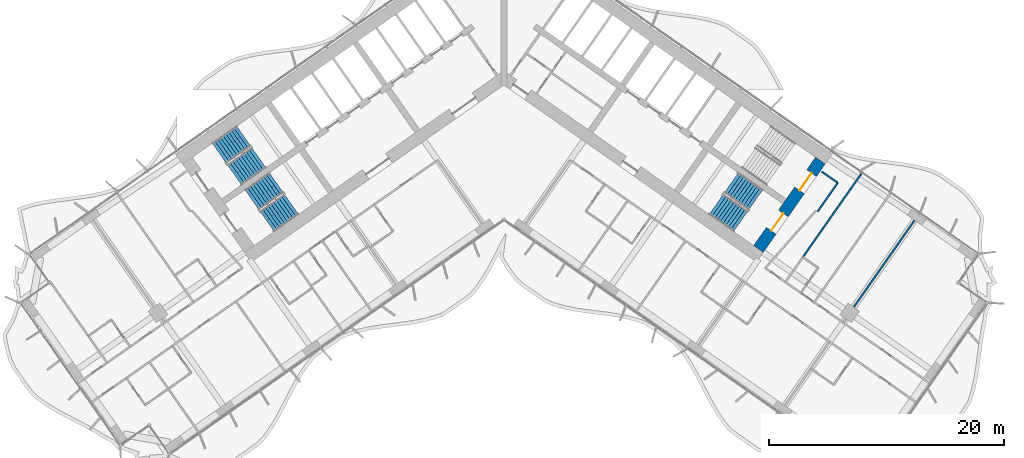
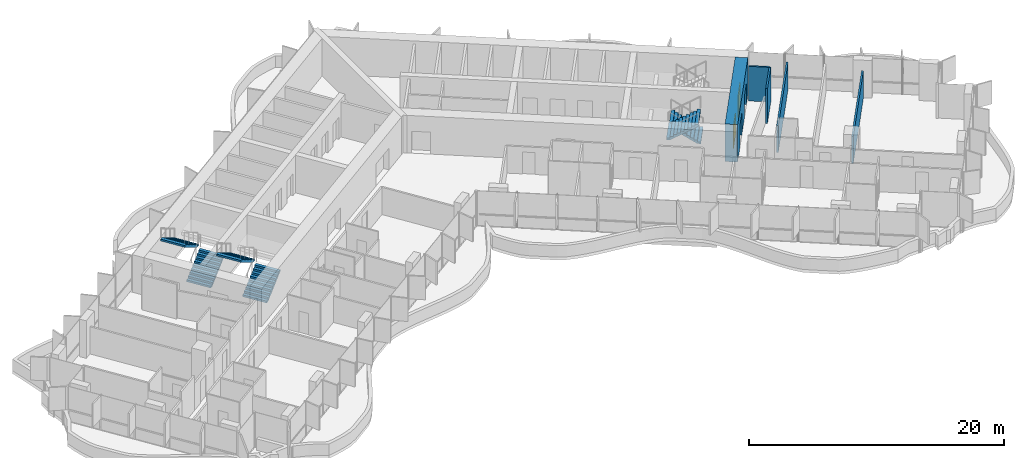
# One storey, part 16 of 23: 6 stair flights, 5 walls, 2 doors, 2 openings, 3 elements without a shape of their own.
"""IFC4 building model written with IfcOpenShell, lengths in metres."""

from ifc_helpers import new_model, si_unit, direction, frame, frame_2d, origin, place, context, subcontext, project, spatial, polyline, rectangle, outline, extrude, material, layer, layer_set, type_object, element, fill, aggregate, save


model = new_model("IFC4")

# Units and contexts
model_context = context("Model", 3, precision=1e-05, world=origin(), true_north=direction((0.0, 1.0)))
body_context = subcontext(model_context, "Body", "Model", "MODEL_VIEW")
ifc_project = project(units=[si_unit("LENGTHUNIT", "METRE"), si_unit("AREAUNIT", "SQUARE_METRE"), si_unit("VOLUMEUNIT", "CUBIC_METRE"), si_unit("PLANEANGLEUNIT", "RADIAN"), si_unit("MASSUNIT", "GRAM", prefix="KILO")], contexts=[model_context])

# Site, building, storey
site_placement = place(None, origin())
site = spatial("IfcSite", under=ifc_project, at=site_placement, CompositionType="ELEMENT")
building_placement = place(site_placement, origin())
building = spatial("IfcBuilding", under=site, at=building_placement, Name="Tel Ilan Convention Tower", CompositionType="ELEMENT")
storey_placement = place(building_placement, frame((0.0, 0.0, 108.5)))
storey = spatial("IfcBuildingStorey", under=building, at=storey_placement, Name="L23", CompositionType="ELEMENT", Elevation=108.5)

# Wall, openings, doors
ifc_material_1 = material(Name="Concrete C60/75", Category="concrete")
ifc_layer_1 = layer(ifc_material_1, 1.0)
ifc_layer_set_1 = layer_set([ifc_layer_1], Name="Core Shear Wall 1000 mm C60/75")
wall_type_1 = type_object("IfcWallType", Name="Core Shear Wall 1000 mm C60/75", PredefinedType="SHEAR", material=ifc_layer_set_1)
wall_1_placement = place(storey_placement, frame((21.70751953125, -15.19970703125, 0.0), z_axis=(0.0, 0.0, 1.0), x_axis=(0.573576324356, 0.819152122709, 0.0)))
wall_1 = element("IfcWall", 1, at=wall_1_placement, inside=storey, type_object=wall_type_1, Name="L23 core wall E-end", PredefinedType="SHEAR", context=body_context, shape_type="SweptSolid", body=[
    extrude(outline(polyline([(9.199951171875, 0.5), (0.0, 0.5), (0.0, -0.5), (9.199951171875, -0.5), (9.199951171875, 0.5)])), origin(), (0.0, 0.0, 1.0), 3.60009765625),
])
opening_1_placement = place(wall_1_placement, frame((6.10009765625, 0.0, 0.0)))
opening_1 = element("IfcOpeningElement", 2, at=opening_1_placement, cuts=wall_1, Name="Opening SD1903", PredefinedType="OPENING", context=body_context, shape_type="SweptSolid", body=[
    extrude(rectangle(XDim=1.800048828125, YDim=2.10009765625, at=frame_2d((0.89990234375, 1.050048828125))), frame((0.0, 0.510009765625, 0.0), z_axis=(0.0, -1.0, 0.0), x_axis=(1.0, 0.0, 0.0)), (0.0, 0.0, 1.0), 1.02001953125),
])
opening_2_placement = place(wall_1_placement, frame((1.89990234375, 0.0, 0.0)))
opening_2 = element("IfcOpeningElement", 3, at=opening_2_placement, cuts=wall_1, Name="Opening SD1904", PredefinedType="OPENING", context=body_context, shape_type="SweptSolid", body=[
    extrude(rectangle(XDim=1.800048828125, YDim=2.10009765625, at=frame_2d((0.89990234375, 1.050048828125))), frame((0.0, 0.510009765625, 0.0), z_axis=(0.0, -1.0, 0.0), x_axis=(1.0, 0.0, 0.0)), (0.0, 0.0, 1.0), 1.02001953125),
])
ifc_material_2 = material(Name="Galvanised Steel Door Leaf", Category="steel")
door_type = type_object("IfcDoorType", Name="Stair Fire Door 1800 x 2100 FD60S", OperationType="NOTDEFINED", PredefinedType="DOOR", material=ifc_material_2)
door_1_placement = place(opening_1_placement, origin())
door_1 = element("IfcDoor", 4, at=door_1_placement, inside=storey, type_object=door_type, Name="Stair S3 door", OperationType="DOUBLE_DOOR_SINGLE_SWING", OverallHeight=2.10009765625, OverallWidth=1.800048828125, PredefinedType="DOOR", context=body_context, shape_type="SweptSolid", body=[
    extrude(rectangle(XDim=1.800048828125, YDim=2.10009765625, at=frame_2d((0.89990234375, 1.050048828125))), frame((0.0, 0.02490234375, 0.0), z_axis=(0.0, -1.0, 0.0), x_axis=(1.0, 0.0, 0.0)), (0.0, 0.0, 1.0), 0.050048828125),
])
fill(opening_1, door_1)
door_2_placement = place(opening_2_placement, origin())
door_2 = element("IfcDoor", 5, at=door_2_placement, inside=storey, type_object=door_type, Name="Stair S4 door", OperationType="DOUBLE_DOOR_SINGLE_SWING", OverallHeight=2.10009765625, OverallWidth=1.800048828125, PredefinedType="DOOR", context=body_context, shape_type="SweptSolid", body=[
    extrude(rectangle(XDim=1.800048828125, YDim=2.10009765625, at=frame_2d((0.89990234375, 1.050048828125))), frame((0.0, 0.02490234375, 0.0), z_axis=(0.0, -1.0, 0.0), x_axis=(1.0, 0.0, 0.0)), (0.0, 0.0, 1.0), 0.050048828125),
])
fill(opening_2, door_2)

# Walls
ifc_material_3 = material(Name="Plasterboard on Steel Studs", Category="steel")
ifc_layer_2 = layer(ifc_material_3, 0.14990234375)
ifc_layer_set_2 = layer_set([ifc_layer_2], Name="Fire-rated Partition 150 EI 60")
wall_type_2 = type_object("IfcWallType", Name="Fire-rated Partition 150 EI 60", PredefinedType="PARTITIONING", material=ifc_layer_set_2)
wall_2_placement = place(storey_placement, frame((30.482421875, -8.77001953125, 0.0), z_axis=(0.0, 0.0, 1.0), x_axis=(-0.573579093502, -0.819150183725, 0.0)))
element("IfcWall", 6, at=wall_2_placement, inside=storey, type_object=wall_type_2, Name="Partition 034", PredefinedType="PARTITIONING", context=body_context, shape_type="SweptSolid", body=[
    extrude(rectangle(XDim=8.700927734375, YDim=0.14990234375, at=frame_2d((4.3505859375, 0.0))), origin(), (0.0, 0.0, 1.0), 2.60009765625),
])
wall_3_placement = place(storey_placement, frame((26.74609375, -12.013671875, 0.0), z_axis=(0.0, 0.0, 1.0), x_axis=(0.573560650686, 0.819163097304, 0.0)))
element("IfcWall", 7, at=wall_3_placement, inside=storey, type_object=wall_type_2, Name="Partition 037", PredefinedType="PARTITIONING", context=body_context, shape_type="SweptSolid", body=[
    extrude(rectangle(XDim=3.0, YDim=0.14990234375, at=frame_2d((1.5, 0.0))), origin(), (0.0, 0.0, 1.0), 3.320068359375),
])
wall_4_placement = place(storey_placement, frame((28.466796875, -9.55615234375, 0.0), z_axis=(0.0, 0.0, 1.0), x_axis=(-0.819109000826, 0.573637903879, 0.0)))
element("IfcWall", 8, at=wall_4_placement, inside=storey, type_object=wall_type_2, Name="Partition 038", PredefinedType="PARTITIONING", context=body_context, shape_type="SweptSolid", body=[
    extrude(rectangle(XDim=1.679931640625, YDim=0.14990234375, at=frame_2d((0.83984375, 0.0))), origin(), (0.0, 0.0, 1.0), 3.320068359375),
])
wall_5_placement = place(storey_placement, frame((35.012939453125, -12.76025390625, 0.0), z_axis=(0.0, 0.0, 1.0), x_axis=(-0.573558725113, -0.819164445546, 0.0)))
element("IfcWall", 9, at=wall_5_placement, inside=storey, type_object=wall_type_2, Name="Partition 042", PredefinedType="PARTITIONING", context=body_context, shape_type="SweptSolid", body=[
    extrude(rectangle(XDim=9.010009765625, YDim=0.14990234375, at=frame_2d((4.5048828125, 0.0))), origin(), (0.0, 0.0, 1.0), 2.60009765625),
])

# Stair, stair flights
ifc_material_4 = material(Name="Concrete C40/50", Category="concrete")
stair_type = type_object("IfcStairType", Name="Pressurised Exit Stair 20 risers 180 mm", PredefinedType="HALF_TURN_STAIR", material=ifc_material_4)
stair_1_placement = place(storey_placement, origin())
stair_1 = element("IfcStair", 10, at=stair_1_placement, inside=storey, type_object=stair_type, Name="L23 Pressurised Stair S1", PredefinedType="HALF_TURN_STAIR")
ifc_material_5 = material(Name="Precast Concrete C40/50", Category="concrete")
stair_flight_type = type_object("IfcStairFlightType", Name="Concrete Stair Flight 2100 mm 20 risers 180 mm", PredefinedType="STRAIGHT", material=ifc_material_5)
stair_flight_1_placement = place(storey_placement, frame((-22.9619140625, -8.87548828125, 0.0), z_axis=(0.0, 0.0, 1.0), x_axis=(0.819152044289, 0.573576436351, 0.0)))
stair_flight_1 = element("IfcStairFlight", 11, at=stair_flight_1_placement, type_object=stair_flight_type, Name="S1 flight 1", NumberOfRisers=10, NumberOfTreads=9, PredefinedType="STRAIGHT", RiserHeight=0.18, TreadLength=0.28, context=body_context, shape_type="SweptSolid", body=[
    extrude(outline(polyline([(0.0, 0.0), (0.0, 0.179931640625), (0.280029296875, 0.179931640625), (0.280029296875, 0.360107421875), (0.56005859375, 0.360107421875), (0.56005859375, 0.5400390625), (0.840087890625, 0.5400390625), (0.840087890625, 0.719970703125), (1.1201171875, 0.719970703125), (1.1201171875, 0.89990234375), (1.39990234375, 0.89990234375), (1.39990234375, 1.080078125), (1.679931640625, 1.080078125), (1.679931640625, 1.260009765625), (1.9599609375, 1.260009765625), (1.9599609375, 1.43994140625), (2.239990234375, 1.43994140625), (2.239990234375, 1.6201171875), (2.52001953125, 1.6201171875), (2.52001953125, 1.800048828125), (2.52001953125, 1.44189453125), (0.277099609375, 0.0), (0.0, 0.0)])), frame((0.0, -0.100341796875, 0.0), z_axis=(0.0, -1.0, 0.0), x_axis=(1.0, 0.0, 0.0)), (0.0, 0.0, 1.0), 0.94970703125),
    extrude(outline(polyline([(0.0, 0.0), (0.0, 0.179931640625), (0.280029296875, 0.179931640625), (0.280029296875, 0.360107421875), (0.56005859375, 0.360107421875), (0.56005859375, 0.5400390625), (0.840087890625, 0.5400390625), (0.840087890625, 0.719970703125), (1.1201171875, 0.719970703125), (1.1201171875, 0.89990234375), (1.39990234375, 0.89990234375), (1.39990234375, 1.080078125), (1.679931640625, 1.080078125), (1.679931640625, 1.260009765625), (1.9599609375, 1.260009765625), (1.9599609375, 1.43994140625), (2.239990234375, 1.43994140625), (2.239990234375, 1.6201171875), (2.52001953125, 1.6201171875), (2.52001953125, 1.800048828125), (2.52001953125, 1.44189453125), (0.277099609375, 0.0), (0.0, 0.0)])), frame((0.0, -0.000244140625, 0.0), z_axis=(0.0, -1.0, 0.0), x_axis=(1.0, 0.0, 0.0)), (0.0, 0.0, 1.0), 0.099609375),
    extrude(outline(polyline([(0.0, 0.0), (0.0, 0.179931640625), (0.280029296875, 0.179931640625), (0.280029296875, 0.360107421875), (0.56005859375, 0.360107421875), (0.56005859375, 0.5400390625), (0.840087890625, 0.5400390625), (0.840087890625, 0.719970703125), (1.1201171875, 0.719970703125), (1.1201171875, 0.89990234375), (1.39990234375, 0.89990234375), (1.39990234375, 1.080078125), (1.679931640625, 1.080078125), (1.679931640625, 1.260009765625), (1.9599609375, 1.260009765625), (1.9599609375, 1.43994140625), (2.239990234375, 1.43994140625), (2.239990234375, 1.6201171875), (2.52001953125, 1.6201171875), (2.52001953125, 1.800048828125), (2.52001953125, 1.44189453125), (0.277099609375, 0.0), (0.0, 0.0)])), frame((0.0, 0.099853515625, 0.0), z_axis=(0.0, -1.0, 0.0), x_axis=(1.0, 0.0, 0.0)), (0.0, 0.0, 1.0), 0.099609375),
    extrude(outline(polyline([(0.0, 0.0), (0.0, 0.179931640625), (0.280029296875, 0.179931640625), (0.280029296875, 0.360107421875), (0.56005859375, 0.360107421875), (0.56005859375, 0.5400390625), (0.840087890625, 0.5400390625), (0.840087890625, 0.719970703125), (1.1201171875, 0.719970703125), (1.1201171875, 0.89990234375), (1.39990234375, 0.89990234375), (1.39990234375, 1.080078125), (1.679931640625, 1.080078125), (1.679931640625, 1.260009765625), (1.9599609375, 1.260009765625), (1.9599609375, 1.43994140625), (2.239990234375, 1.43994140625), (2.239990234375, 1.6201171875), (2.52001953125, 1.6201171875), (2.52001953125, 1.800048828125), (2.52001953125, 1.44189453125), (0.277099609375, 0.0), (0.0, 0.0)])), frame((0.0, 1.050048828125, 0.0), z_axis=(0.0, -1.0, 0.0), x_axis=(1.0, 0.0, 0.0)), (0.0, 0.0, 1.0), 0.94970703125),
])
stair_flight_2_placement = place(storey_placement, frame((-22.188232421875, -5.5869140625, 1.800048828125), z_axis=(0.0, 0.0, 1.0), x_axis=(-0.819152044289, -0.573576436351, 0.0)))
stair_flight_2 = element("IfcStairFlight", 12, at=stair_flight_2_placement, type_object=stair_flight_type, Name="S1 flight 2", NumberOfRisers=10, NumberOfTreads=9, PredefinedType="STRAIGHT", RiserHeight=0.18, TreadLength=0.28, context=body_context, shape_type="SweptSolid", body=[
    extrude(outline(polyline([(0.0, 0.0), (0.0, 0.179931640625), (0.280029296875, 0.179931640625), (0.280029296875, 0.360107421875), (0.56005859375, 0.360107421875), (0.56005859375, 0.5400390625), (0.840087890625, 0.5400390625), (0.840087890625, 0.719970703125), (1.1201171875, 0.719970703125), (1.1201171875, 0.89990234375), (1.39990234375, 0.89990234375), (1.39990234375, 1.080078125), (1.679931640625, 1.080078125), (1.679931640625, 1.260009765625), (1.9599609375, 1.260009765625), (1.9599609375, 1.43994140625), (2.239990234375, 1.43994140625), (2.239990234375, 1.6201171875), (2.52001953125, 1.6201171875), (2.52001953125, 1.800048828125), (2.52001953125, 1.44189453125), (0.277099609375, 0.0), (0.0, 0.0)])), frame((0.0, -0.100341796875, 0.0), z_axis=(0.0, -1.0, 0.0), x_axis=(1.0, 0.0, 0.0)), (0.0, 0.0, 1.0), 0.94970703125),
    extrude(outline(polyline([(0.0, 0.0), (0.0, 0.179931640625), (0.280029296875, 0.179931640625), (0.280029296875, 0.360107421875), (0.56005859375, 0.360107421875), (0.56005859375, 0.5400390625), (0.840087890625, 0.5400390625), (0.840087890625, 0.719970703125), (1.1201171875, 0.719970703125), (1.1201171875, 0.89990234375), (1.39990234375, 0.89990234375), (1.39990234375, 1.080078125), (1.679931640625, 1.080078125), (1.679931640625, 1.260009765625), (1.9599609375, 1.260009765625), (1.9599609375, 1.43994140625), (2.239990234375, 1.43994140625), (2.239990234375, 1.6201171875), (2.52001953125, 1.6201171875), (2.52001953125, 1.800048828125), (2.52001953125, 1.44189453125), (0.277099609375, 0.0), (0.0, 0.0)])), frame((0.0, -0.000244140625, 0.0), z_axis=(0.0, -1.0, 0.0), x_axis=(1.0, 0.0, 0.0)), (0.0, 0.0, 1.0), 0.099609375),
    extrude(outline(polyline([(0.0, 0.0), (0.0, 0.179931640625), (0.280029296875, 0.179931640625), (0.280029296875, 0.360107421875), (0.56005859375, 0.360107421875), (0.56005859375, 0.5400390625), (0.840087890625, 0.5400390625), (0.840087890625, 0.719970703125), (1.1201171875, 0.719970703125), (1.1201171875, 0.89990234375), (1.39990234375, 0.89990234375), (1.39990234375, 1.080078125), (1.679931640625, 1.080078125), (1.679931640625, 1.260009765625), (1.9599609375, 1.260009765625), (1.9599609375, 1.43994140625), (2.239990234375, 1.43994140625), (2.239990234375, 1.6201171875), (2.52001953125, 1.6201171875), (2.52001953125, 1.800048828125), (2.52001953125, 1.44189453125), (0.277099609375, 0.0), (0.0, 0.0)])), frame((0.0, 0.099853515625, 0.0), z_axis=(0.0, -1.0, 0.0), x_axis=(1.0, 0.0, 0.0)), (0.0, 0.0, 1.0), 0.099609375),
    extrude(outline(polyline([(0.0, 0.0), (0.0, 0.179931640625), (0.280029296875, 0.179931640625), (0.280029296875, 0.360107421875), (0.56005859375, 0.360107421875), (0.56005859375, 0.5400390625), (0.840087890625, 0.5400390625), (0.840087890625, 0.719970703125), (1.1201171875, 0.719970703125), (1.1201171875, 0.89990234375), (1.39990234375, 0.89990234375), (1.39990234375, 1.080078125), (1.679931640625, 1.080078125), (1.679931640625, 1.260009765625), (1.9599609375, 1.260009765625), (1.9599609375, 1.43994140625), (2.239990234375, 1.43994140625), (2.239990234375, 1.6201171875), (2.52001953125, 1.6201171875), (2.52001953125, 1.800048828125), (2.52001953125, 1.44189453125), (0.277099609375, 0.0), (0.0, 0.0)])), frame((0.0, 1.050048828125, 0.0), z_axis=(0.0, -1.0, 0.0), x_axis=(1.0, 0.0, 0.0)), (0.0, 0.0, 1.0), 0.94970703125),
])
aggregate(stair_1, [stair_flight_1, stair_flight_2])

stair_2_placement = place(storey_placement, origin())
stair_2 = element("IfcStair", 13, at=stair_2_placement, inside=storey, type_object=stair_type, Name="L23 Pressurised Stair S2", PredefinedType="HALF_TURN_STAIR")
stair_flight_3_placement = place(storey_placement, frame((-20.179931640625, -12.848388671875, 0.0), z_axis=(0.0, 0.0, 1.0), x_axis=(0.819152044289, 0.573576436351, 0.0)))
stair_flight_3 = element("IfcStairFlight", 14, at=stair_flight_3_placement, type_object=stair_flight_type, Name="S2 flight 1", NumberOfRisers=10, NumberOfTreads=9, PredefinedType="STRAIGHT", RiserHeight=0.18, TreadLength=0.28, context=body_context, shape_type="SweptSolid", body=[
    extrude(outline(polyline([(0.0, 0.0), (0.0, 0.179931640625), (0.280029296875, 0.179931640625), (0.280029296875, 0.360107421875), (0.56005859375, 0.360107421875), (0.56005859375, 0.5400390625), (0.840087890625, 0.5400390625), (0.840087890625, 0.719970703125), (1.1201171875, 0.719970703125), (1.1201171875, 0.89990234375), (1.39990234375, 0.89990234375), (1.39990234375, 1.080078125), (1.679931640625, 1.080078125), (1.679931640625, 1.260009765625), (1.9599609375, 1.260009765625), (1.9599609375, 1.43994140625), (2.239990234375, 1.43994140625), (2.239990234375, 1.6201171875), (2.52001953125, 1.6201171875), (2.52001953125, 1.800048828125), (2.52001953125, 1.44189453125), (0.277099609375, 0.0), (0.0, 0.0)])), frame((0.0, -0.100341796875, 0.0), z_axis=(0.0, -1.0, 0.0), x_axis=(1.0, 0.0, 0.0)), (0.0, 0.0, 1.0), 0.94970703125),
    extrude(outline(polyline([(0.0, 0.0), (0.0, 0.179931640625), (0.280029296875, 0.179931640625), (0.280029296875, 0.360107421875), (0.56005859375, 0.360107421875), (0.56005859375, 0.5400390625), (0.840087890625, 0.5400390625), (0.840087890625, 0.719970703125), (1.1201171875, 0.719970703125), (1.1201171875, 0.89990234375), (1.39990234375, 0.89990234375), (1.39990234375, 1.080078125), (1.679931640625, 1.080078125), (1.679931640625, 1.260009765625), (1.9599609375, 1.260009765625), (1.9599609375, 1.43994140625), (2.239990234375, 1.43994140625), (2.239990234375, 1.6201171875), (2.52001953125, 1.6201171875), (2.52001953125, 1.800048828125), (2.52001953125, 1.44189453125), (0.277099609375, 0.0), (0.0, 0.0)])), frame((0.0, -0.000244140625, 0.0), z_axis=(0.0, -1.0, 0.0), x_axis=(1.0, 0.0, 0.0)), (0.0, 0.0, 1.0), 0.099609375),
    extrude(outline(polyline([(0.0, 0.0), (0.0, 0.179931640625), (0.280029296875, 0.179931640625), (0.280029296875, 0.360107421875), (0.56005859375, 0.360107421875), (0.56005859375, 0.5400390625), (0.840087890625, 0.5400390625), (0.840087890625, 0.719970703125), (1.1201171875, 0.719970703125), (1.1201171875, 0.89990234375), (1.39990234375, 0.89990234375), (1.39990234375, 1.080078125), (1.679931640625, 1.080078125), (1.679931640625, 1.260009765625), (1.9599609375, 1.260009765625), (1.9599609375, 1.43994140625), (2.239990234375, 1.43994140625), (2.239990234375, 1.6201171875), (2.52001953125, 1.6201171875), (2.52001953125, 1.800048828125), (2.52001953125, 1.44189453125), (0.277099609375, 0.0), (0.0, 0.0)])), frame((0.0, 0.099853515625, 0.0), z_axis=(0.0, -1.0, 0.0), x_axis=(1.0, 0.0, 0.0)), (0.0, 0.0, 1.0), 0.099609375),
    extrude(outline(polyline([(0.0, 0.0), (0.0, 0.179931640625), (0.280029296875, 0.179931640625), (0.280029296875, 0.360107421875), (0.56005859375, 0.360107421875), (0.56005859375, 0.5400390625), (0.840087890625, 0.5400390625), (0.840087890625, 0.719970703125), (1.1201171875, 0.719970703125), (1.1201171875, 0.89990234375), (1.39990234375, 0.89990234375), (1.39990234375, 1.080078125), (1.679931640625, 1.080078125), (1.679931640625, 1.260009765625), (1.9599609375, 1.260009765625), (1.9599609375, 1.43994140625), (2.239990234375, 1.43994140625), (2.239990234375, 1.6201171875), (2.52001953125, 1.6201171875), (2.52001953125, 1.800048828125), (2.52001953125, 1.44189453125), (0.277099609375, 0.0), (0.0, 0.0)])), frame((0.0, 1.050048828125, 0.0), z_axis=(0.0, -1.0, 0.0), x_axis=(1.0, 0.0, 0.0)), (0.0, 0.0, 1.0), 0.94970703125),
])
stair_flight_4_placement = place(storey_placement, frame((-19.40625, -9.559814453125, 1.800048828125), z_axis=(0.0, 0.0, 1.0), x_axis=(-0.819152044289, -0.573576436351, 0.0)))
stair_flight_4 = element("IfcStairFlight", 15, at=stair_flight_4_placement, type_object=stair_flight_type, Name="S2 flight 2", NumberOfRisers=10, NumberOfTreads=9, PredefinedType="STRAIGHT", RiserHeight=0.18, TreadLength=0.28, context=body_context, shape_type="SweptSolid", body=[
    extrude(outline(polyline([(0.0, 0.0), (0.0, 0.179931640625), (0.280029296875, 0.179931640625), (0.280029296875, 0.360107421875), (0.56005859375, 0.360107421875), (0.56005859375, 0.5400390625), (0.840087890625, 0.5400390625), (0.840087890625, 0.719970703125), (1.1201171875, 0.719970703125), (1.1201171875, 0.89990234375), (1.39990234375, 0.89990234375), (1.39990234375, 1.080078125), (1.679931640625, 1.080078125), (1.679931640625, 1.260009765625), (1.9599609375, 1.260009765625), (1.9599609375, 1.43994140625), (2.239990234375, 1.43994140625), (2.239990234375, 1.6201171875), (2.52001953125, 1.6201171875), (2.52001953125, 1.800048828125), (2.52001953125, 1.44189453125), (0.277099609375, 0.0), (0.0, 0.0)])), frame((0.0, -0.100341796875, 0.0), z_axis=(0.0, -1.0, 0.0), x_axis=(1.0, 0.0, 0.0)), (0.0, 0.0, 1.0), 0.94970703125),
    extrude(outline(polyline([(0.0, 0.0), (0.0, 0.179931640625), (0.280029296875, 0.179931640625), (0.280029296875, 0.360107421875), (0.56005859375, 0.360107421875), (0.56005859375, 0.5400390625), (0.840087890625, 0.5400390625), (0.840087890625, 0.719970703125), (1.1201171875, 0.719970703125), (1.1201171875, 0.89990234375), (1.39990234375, 0.89990234375), (1.39990234375, 1.080078125), (1.679931640625, 1.080078125), (1.679931640625, 1.260009765625), (1.9599609375, 1.260009765625), (1.9599609375, 1.43994140625), (2.239990234375, 1.43994140625), (2.239990234375, 1.6201171875), (2.52001953125, 1.6201171875), (2.52001953125, 1.800048828125), (2.52001953125, 1.44189453125), (0.277099609375, 0.0), (0.0, 0.0)])), frame((0.0, -0.000244140625, 0.0), z_axis=(0.0, -1.0, 0.0), x_axis=(1.0, 0.0, 0.0)), (0.0, 0.0, 1.0), 0.099609375),
    extrude(outline(polyline([(0.0, 0.0), (0.0, 0.179931640625), (0.280029296875, 0.179931640625), (0.280029296875, 0.360107421875), (0.56005859375, 0.360107421875), (0.56005859375, 0.5400390625), (0.840087890625, 0.5400390625), (0.840087890625, 0.719970703125), (1.1201171875, 0.719970703125), (1.1201171875, 0.89990234375), (1.39990234375, 0.89990234375), (1.39990234375, 1.080078125), (1.679931640625, 1.080078125), (1.679931640625, 1.260009765625), (1.9599609375, 1.260009765625), (1.9599609375, 1.43994140625), (2.239990234375, 1.43994140625), (2.239990234375, 1.6201171875), (2.52001953125, 1.6201171875), (2.52001953125, 1.800048828125), (2.52001953125, 1.44189453125), (0.277099609375, 0.0), (0.0, 0.0)])), frame((0.0, 0.099853515625, 0.0), z_axis=(0.0, -1.0, 0.0), x_axis=(1.0, 0.0, 0.0)), (0.0, 0.0, 1.0), 0.099609375),
    extrude(outline(polyline([(0.0, 0.0), (0.0, 0.179931640625), (0.280029296875, 0.179931640625), (0.280029296875, 0.360107421875), (0.56005859375, 0.360107421875), (0.56005859375, 0.5400390625), (0.840087890625, 0.5400390625), (0.840087890625, 0.719970703125), (1.1201171875, 0.719970703125), (1.1201171875, 0.89990234375), (1.39990234375, 0.89990234375), (1.39990234375, 1.080078125), (1.679931640625, 1.080078125), (1.679931640625, 1.260009765625), (1.9599609375, 1.260009765625), (1.9599609375, 1.43994140625), (2.239990234375, 1.43994140625), (2.239990234375, 1.6201171875), (2.52001953125, 1.6201171875), (2.52001953125, 1.800048828125), (2.52001953125, 1.44189453125), (0.277099609375, 0.0), (0.0, 0.0)])), frame((0.0, 1.050048828125, 0.0), z_axis=(0.0, -1.0, 0.0), x_axis=(1.0, 0.0, 0.0)), (0.0, 0.0, 1.0), 0.94970703125),
])
aggregate(stair_2, [stair_flight_3, stair_flight_4])

stair_3_placement = place(storey_placement, origin())
stair_3 = element("IfcStair", 16, at=stair_3_placement, inside=storey, type_object=stair_type, Name="L23 Pressurised Stair S4", PredefinedType="HALF_TURN_STAIR")
stair_flight_5_placement = place(storey_placement, frame((21.470458984375, -11.00537109375, 0.0), z_axis=(0.0, 0.0, 1.0), x_axis=(-0.819152044289, 0.573576436351, 0.0)))
stair_flight_5 = element("IfcStairFlight", 17, at=stair_flight_5_placement, type_object=stair_flight_type, Name="S4 flight 1", NumberOfRisers=10, NumberOfTreads=9, PredefinedType="STRAIGHT", RiserHeight=0.18, TreadLength=0.28, context=body_context, shape_type="SweptSolid", body=[
    extrude(outline(polyline([(0.0, 0.0), (0.0, 0.179931640625), (0.280029296875, 0.179931640625), (0.280029296875, 0.360107421875), (0.56005859375, 0.360107421875), (0.56005859375, 0.5400390625), (0.840087890625, 0.5400390625), (0.840087890625, 0.719970703125), (1.1201171875, 0.719970703125), (1.1201171875, 0.89990234375), (1.39990234375, 0.89990234375), (1.39990234375, 1.080078125), (1.679931640625, 1.080078125), (1.679931640625, 1.260009765625), (1.9599609375, 1.260009765625), (1.9599609375, 1.43994140625), (2.239990234375, 1.43994140625), (2.239990234375, 1.6201171875), (2.52001953125, 1.6201171875), (2.52001953125, 1.800048828125), (2.52001953125, 1.44189453125), (0.277099609375, 0.0), (0.0, 0.0)])), frame((0.0, -0.100341796875, 0.0), z_axis=(0.0, -1.0, 0.0), x_axis=(1.0, 0.0, 0.0)), (0.0, 0.0, 1.0), 0.94970703125),
    extrude(outline(polyline([(0.0, 0.0), (0.0, 0.179931640625), (0.280029296875, 0.179931640625), (0.280029296875, 0.360107421875), (0.56005859375, 0.360107421875), (0.56005859375, 0.5400390625), (0.840087890625, 0.5400390625), (0.840087890625, 0.719970703125), (1.1201171875, 0.719970703125), (1.1201171875, 0.89990234375), (1.39990234375, 0.89990234375), (1.39990234375, 1.080078125), (1.679931640625, 1.080078125), (1.679931640625, 1.260009765625), (1.9599609375, 1.260009765625), (1.9599609375, 1.43994140625), (2.239990234375, 1.43994140625), (2.239990234375, 1.6201171875), (2.52001953125, 1.6201171875), (2.52001953125, 1.800048828125), (2.52001953125, 1.44189453125), (0.277099609375, 0.0), (0.0, 0.0)])), frame((0.0, -0.000244140625, 0.0), z_axis=(0.0, -1.0, 0.0), x_axis=(1.0, 0.0, 0.0)), (0.0, 0.0, 1.0), 0.099609375),
    extrude(outline(polyline([(0.0, 0.0), (0.0, 0.179931640625), (0.280029296875, 0.179931640625), (0.280029296875, 0.360107421875), (0.56005859375, 0.360107421875), (0.56005859375, 0.5400390625), (0.840087890625, 0.5400390625), (0.840087890625, 0.719970703125), (1.1201171875, 0.719970703125), (1.1201171875, 0.89990234375), (1.39990234375, 0.89990234375), (1.39990234375, 1.080078125), (1.679931640625, 1.080078125), (1.679931640625, 1.260009765625), (1.9599609375, 1.260009765625), (1.9599609375, 1.43994140625), (2.239990234375, 1.43994140625), (2.239990234375, 1.6201171875), (2.52001953125, 1.6201171875), (2.52001953125, 1.800048828125), (2.52001953125, 1.44189453125), (0.277099609375, 0.0), (0.0, 0.0)])), frame((0.0, 0.099853515625, 0.0), z_axis=(0.0, -1.0, 0.0), x_axis=(1.0, 0.0, 0.0)), (0.0, 0.0, 1.0), 0.099609375),
    extrude(outline(polyline([(0.0, 0.0), (0.0, 0.179931640625), (0.280029296875, 0.179931640625), (0.280029296875, 0.360107421875), (0.56005859375, 0.360107421875), (0.56005859375, 0.5400390625), (0.840087890625, 0.5400390625), (0.840087890625, 0.719970703125), (1.1201171875, 0.719970703125), (1.1201171875, 0.89990234375), (1.39990234375, 0.89990234375), (1.39990234375, 1.080078125), (1.679931640625, 1.080078125), (1.679931640625, 1.260009765625), (1.9599609375, 1.260009765625), (1.9599609375, 1.43994140625), (2.239990234375, 1.43994140625), (2.239990234375, 1.6201171875), (2.52001953125, 1.6201171875), (2.52001953125, 1.800048828125), (2.52001953125, 1.44189453125), (0.277099609375, 0.0), (0.0, 0.0)])), frame((0.0, 1.050048828125, 0.0), z_axis=(0.0, -1.0, 0.0), x_axis=(1.0, 0.0, 0.0)), (0.0, 0.0, 1.0), 0.94970703125),
])
stair_flight_6_placement = place(storey_placement, frame((18.11572265625, -11.403076171875, 1.800048828125), z_axis=(0.0, 0.0, 1.0), x_axis=(0.819152044289, -0.573576436351, 0.0)))
stair_flight_6 = element("IfcStairFlight", 18, at=stair_flight_6_placement, type_object=stair_flight_type, Name="S4 flight 2", NumberOfRisers=10, NumberOfTreads=9, PredefinedType="STRAIGHT", RiserHeight=0.18, TreadLength=0.28, context=body_context, shape_type="SweptSolid", body=[
    extrude(outline(polyline([(0.0, 0.0), (0.0, 0.179931640625), (0.280029296875, 0.179931640625), (0.280029296875, 0.360107421875), (0.56005859375, 0.360107421875), (0.56005859375, 0.5400390625), (0.840087890625, 0.5400390625), (0.840087890625, 0.719970703125), (1.1201171875, 0.719970703125), (1.1201171875, 0.89990234375), (1.39990234375, 0.89990234375), (1.39990234375, 1.080078125), (1.679931640625, 1.080078125), (1.679931640625, 1.260009765625), (1.9599609375, 1.260009765625), (1.9599609375, 1.43994140625), (2.239990234375, 1.43994140625), (2.239990234375, 1.6201171875), (2.52001953125, 1.6201171875), (2.52001953125, 1.800048828125), (2.52001953125, 1.44189453125), (0.277099609375, 0.0), (0.0, 0.0)])), frame((0.0, -0.100341796875, 0.0), z_axis=(0.0, -1.0, 0.0), x_axis=(1.0, 0.0, 0.0)), (0.0, 0.0, 1.0), 0.94970703125),
    extrude(outline(polyline([(0.0, 0.0), (0.0, 0.179931640625), (0.280029296875, 0.179931640625), (0.280029296875, 0.360107421875), (0.56005859375, 0.360107421875), (0.56005859375, 0.5400390625), (0.840087890625, 0.5400390625), (0.840087890625, 0.719970703125), (1.1201171875, 0.719970703125), (1.1201171875, 0.89990234375), (1.39990234375, 0.89990234375), (1.39990234375, 1.080078125), (1.679931640625, 1.080078125), (1.679931640625, 1.260009765625), (1.9599609375, 1.260009765625), (1.9599609375, 1.43994140625), (2.239990234375, 1.43994140625), (2.239990234375, 1.6201171875), (2.52001953125, 1.6201171875), (2.52001953125, 1.800048828125), (2.52001953125, 1.44189453125), (0.277099609375, 0.0), (0.0, 0.0)])), frame((0.0, -0.000244140625, 0.0), z_axis=(0.0, -1.0, 0.0), x_axis=(1.0, 0.0, 0.0)), (0.0, 0.0, 1.0), 0.099609375),
    extrude(outline(polyline([(0.0, 0.0), (0.0, 0.179931640625), (0.280029296875, 0.179931640625), (0.280029296875, 0.360107421875), (0.56005859375, 0.360107421875), (0.56005859375, 0.5400390625), (0.840087890625, 0.5400390625), (0.840087890625, 0.719970703125), (1.1201171875, 0.719970703125), (1.1201171875, 0.89990234375), (1.39990234375, 0.89990234375), (1.39990234375, 1.080078125), (1.679931640625, 1.080078125), (1.679931640625, 1.260009765625), (1.9599609375, 1.260009765625), (1.9599609375, 1.43994140625), (2.239990234375, 1.43994140625), (2.239990234375, 1.6201171875), (2.52001953125, 1.6201171875), (2.52001953125, 1.800048828125), (2.52001953125, 1.44189453125), (0.277099609375, 0.0), (0.0, 0.0)])), frame((0.0, 0.099853515625, 0.0), z_axis=(0.0, -1.0, 0.0), x_axis=(1.0, 0.0, 0.0)), (0.0, 0.0, 1.0), 0.099609375),
    extrude(outline(polyline([(0.0, 0.0), (0.0, 0.179931640625), (0.280029296875, 0.179931640625), (0.280029296875, 0.360107421875), (0.56005859375, 0.360107421875), (0.56005859375, 0.5400390625), (0.840087890625, 0.5400390625), (0.840087890625, 0.719970703125), (1.1201171875, 0.719970703125), (1.1201171875, 0.89990234375), (1.39990234375, 0.89990234375), (1.39990234375, 1.080078125), (1.679931640625, 1.080078125), (1.679931640625, 1.260009765625), (1.9599609375, 1.260009765625), (1.9599609375, 1.43994140625), (2.239990234375, 1.43994140625), (2.239990234375, 1.6201171875), (2.52001953125, 1.6201171875), (2.52001953125, 1.800048828125), (2.52001953125, 1.44189453125), (0.277099609375, 0.0), (0.0, 0.0)])), frame((0.0, 1.050048828125, 0.0), z_axis=(0.0, -1.0, 0.0), x_axis=(1.0, 0.0, 0.0)), (0.0, 0.0, 1.0), 0.94970703125),
])
aggregate(stair_3, [stair_flight_5, stair_flight_6])

save(model, "model.ifc")
